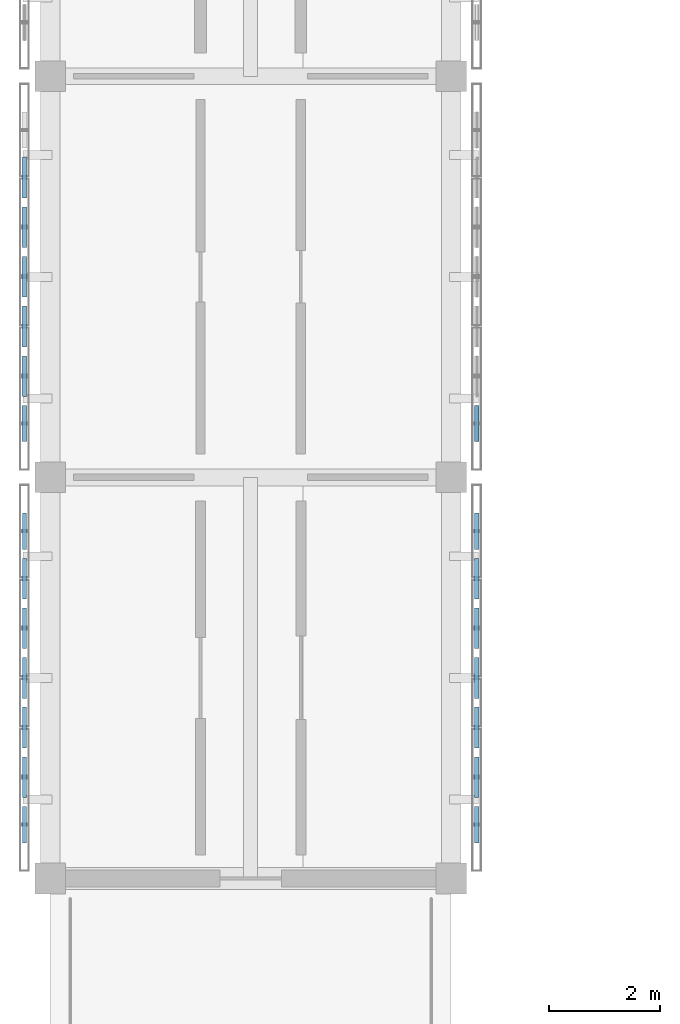
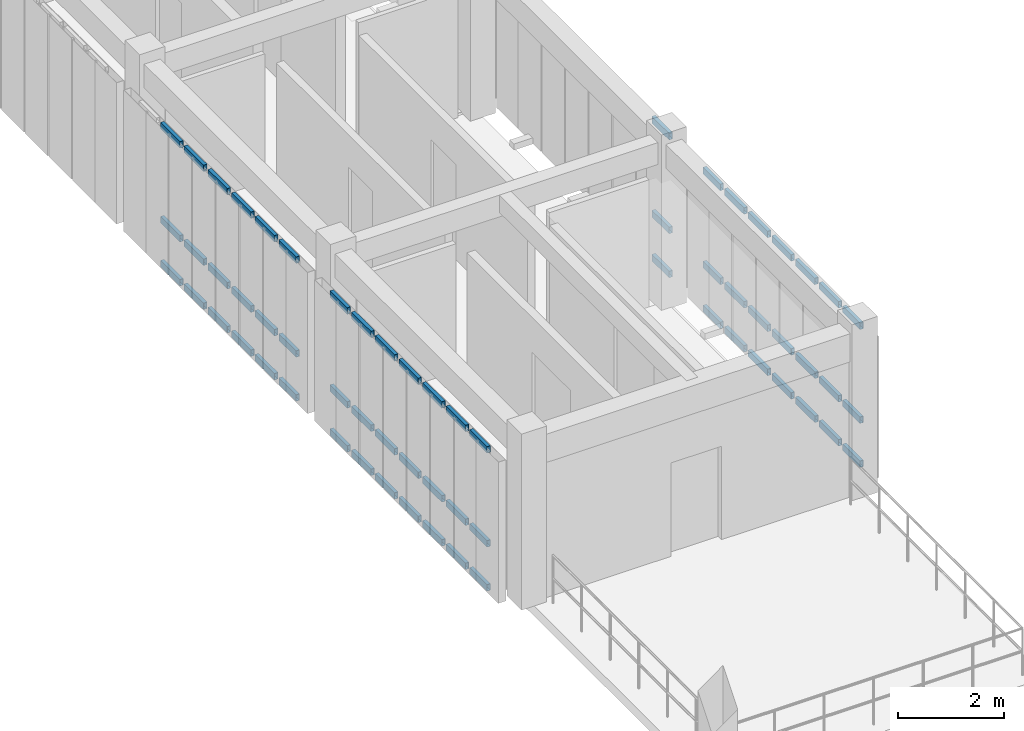
# One storey, part 7 of 33: 63 members, 4 elements without a shape of their own.
"""IFC4 building model written with IfcOpenShell, lengths in metres."""

from ifc_helpers import new_model, si_unit, direction, frame, origin, origin_2d, place, context, subcontext, project, spatial, hollow_rectangle, extrude, material, material_profile, profile_set, type_object, element, aggregate, save


model = new_model("IFC4")

# Units and contexts
model_context = context("Model", 3, precision=1e-05, world=origin(), true_north=direction((0.0, 1.0)))
body_context = subcontext(model_context, "Body", "Model", "MODEL_VIEW")
ifc_project = project(units=[si_unit("LENGTHUNIT", "METRE"), si_unit("AREAUNIT", "SQUARE_METRE"), si_unit("VOLUMEUNIT", "CUBIC_METRE"), si_unit("PLANEANGLEUNIT", "RADIAN"), si_unit("MASSUNIT", "GRAM", prefix="KILO")], contexts=[model_context])

# Site, building, storey
site_placement = place(None, origin())
site = spatial("IfcSite", under=ifc_project, at=site_placement, CompositionType="ELEMENT")
building_placement = place(site_placement, origin())
building = spatial("IfcBuilding", under=site, at=building_placement, Name="Aldebral Square Health Centre", CompositionType="ELEMENT")
storey_placement = place(building_placement, frame((0.0, 0.0, 17.550048828125)))
storey = spatial("IfcBuildingStorey", under=building, at=storey_placement, Name="L04", CompositionType="ELEMENT", Elevation=17.550048828125)

# Curtain wall, members
ifc_material_1 = material(Name="Aluminium and low-E solar glass", Category="aluminium")
curtain_wall_type = type_object("IfcCurtainWallType", Name="CW-FIN-SYS", PredefinedType="USERDEFINED", material=ifc_material_1)
curtain_wall_1_placement = place(storey_placement, origin())
curtain_wall_1 = element("IfcCurtainWall", 1, at=curtain_wall_1_placement, inside=storey, type_object=curtain_wall_type, Name="L04 V4 finned curtain wall L04-V4-00-10-W", ObjectType="SOLAR_CURTAIN_WALL", PredefinedType="USERDEFINED")
ifc_material_2 = material(Name="Anodised aluminium transom", Category="aluminium")
ifc_material_profile = material_profile(ifc_material_2, hollow_rectangle(XDim=0.074951171875, YDim=0.14990234375, WallThickness=0.00390625, at=origin_2d()), Name="CWT 75x150x4")
ifc_profile_set = profile_set([ifc_material_profile], Name="Anodised aluminium transom")
member_type = type_object("IfcMemberType", Name="CWT-STD", PredefinedType="USERDEFINED", material=ifc_profile_set)
member_1_placement = place(storey_placement, frame((-0.4599609375, 78.56005859375, 0.037353515625), z_axis=(0.0, -1.0, 0.0), x_axis=(1.0, 0.0, 0.0)))
member_1 = element("IfcMember", 2, at=member_1_placement, type_object=member_type, Name="CW1 transom 1.1", ObjectType="TRANSOM", PredefinedType="USERDEFINED", context=body_context, shape_type="SweptSolid", body=[
    extrude(hollow_rectangle(XDim=0.074951171875, YDim=0.14990234375, WallThickness=0.00390625, at=origin_2d()), origin(), (0.0, 0.0, 1.0), 0.6513671875),
])
member_2_placement = place(storey_placement, frame((-0.4599609375, 78.56005859375, 1.050048828125), z_axis=(0.0, -1.0, 0.0), x_axis=(1.0, 0.0, 0.0)))
member_2 = element("IfcMember", 3, at=member_2_placement, type_object=member_type, Name="CW1 transom 1.2", ObjectType="TRANSOM", PredefinedType="USERDEFINED", context=body_context, shape_type="SweptSolid", body=[
    extrude(hollow_rectangle(XDim=0.074951171875, YDim=0.14990234375, WallThickness=0.00390625, at=origin_2d()), origin(), (0.0, 0.0, 1.0), 0.6513671875),
])
member_3_placement = place(storey_placement, frame((-0.4599609375, 78.56005859375, 3.21240234375), z_axis=(0.0, -1.0, 0.0), x_axis=(1.0, 0.0, 0.0)))
member_3 = element("IfcMember", 4, at=member_3_placement, type_object=member_type, Name="CW1 transom 1.3", ObjectType="TRANSOM", PredefinedType="USERDEFINED", context=body_context, shape_type="SweptSolid", body=[
    extrude(hollow_rectangle(XDim=0.074951171875, YDim=0.14990234375, WallThickness=0.00390625, at=origin_2d()), origin(), (0.0, 0.0, 1.0), 0.6513671875),
])
member_4_placement = place(storey_placement, frame((-0.4599609375, 77.74853515625, 0.037353515625), z_axis=(0.0, -1.0, 0.0), x_axis=(1.0, 0.0, 0.0)))
member_4 = element("IfcMember", 5, at=member_4_placement, type_object=member_type, Name="CW1 transom 2.1", ObjectType="TRANSOM", PredefinedType="USERDEFINED", context=body_context, shape_type="SweptSolid", body=[
    extrude(hollow_rectangle(XDim=0.074951171875, YDim=0.14990234375, WallThickness=0.00390625, at=origin_2d()), origin(), (0.0, 0.0, 1.0), 0.7314453125),
])
member_5_placement = place(storey_placement, frame((-0.4599609375, 77.74853515625, 1.050048828125), z_axis=(0.0, -1.0, 0.0), x_axis=(1.0, 0.0, 0.0)))
member_5 = element("IfcMember", 6, at=member_5_placement, type_object=member_type, Name="CW1 transom 2.2", ObjectType="TRANSOM", PredefinedType="USERDEFINED", context=body_context, shape_type="SweptSolid", body=[
    extrude(hollow_rectangle(XDim=0.074951171875, YDim=0.14990234375, WallThickness=0.00390625, at=origin_2d()), origin(), (0.0, 0.0, 1.0), 0.7314453125),
])
member_6_placement = place(storey_placement, frame((-0.4599609375, 77.74853515625, 3.21240234375), z_axis=(0.0, -1.0, 0.0), x_axis=(1.0, 0.0, 0.0)))
member_6 = element("IfcMember", 7, at=member_6_placement, type_object=member_type, Name="CW1 transom 2.3", ObjectType="TRANSOM", PredefinedType="USERDEFINED", context=body_context, shape_type="SweptSolid", body=[
    extrude(hollow_rectangle(XDim=0.074951171875, YDim=0.14990234375, WallThickness=0.00390625, at=origin_2d()), origin(), (0.0, 0.0, 1.0), 0.7314453125),
])
member_7_placement = place(storey_placement, frame((-0.4599609375, 76.857177734375, 0.037353515625), z_axis=(0.0, -1.0, 0.0), x_axis=(1.0, 0.0, 0.0)))
member_7 = element("IfcMember", 8, at=member_7_placement, type_object=member_type, Name="CW1 transom 3.1", ObjectType="TRANSOM", PredefinedType="USERDEFINED", context=body_context, shape_type="SweptSolid", body=[
    extrude(hollow_rectangle(XDim=0.074951171875, YDim=0.14990234375, WallThickness=0.00390625, at=origin_2d()), origin(), (0.0, 0.0, 1.0), 0.7314453125),
])
member_8_placement = place(storey_placement, frame((-0.4599609375, 76.857177734375, 1.050048828125), z_axis=(0.0, -1.0, 0.0), x_axis=(1.0, 0.0, 0.0)))
member_8 = element("IfcMember", 9, at=member_8_placement, type_object=member_type, Name="CW1 transom 3.2", ObjectType="TRANSOM", PredefinedType="USERDEFINED", context=body_context, shape_type="SweptSolid", body=[
    extrude(hollow_rectangle(XDim=0.074951171875, YDim=0.14990234375, WallThickness=0.00390625, at=origin_2d()), origin(), (0.0, 0.0, 1.0), 0.7314453125),
])
member_9_placement = place(storey_placement, frame((-0.4599609375, 76.857177734375, 3.21240234375), z_axis=(0.0, -1.0, 0.0), x_axis=(1.0, 0.0, 0.0)))
member_9 = element("IfcMember", 10, at=member_9_placement, type_object=member_type, Name="CW1 transom 3.3", ObjectType="TRANSOM", PredefinedType="USERDEFINED", context=body_context, shape_type="SweptSolid", body=[
    extrude(hollow_rectangle(XDim=0.074951171875, YDim=0.14990234375, WallThickness=0.00390625, at=origin_2d()), origin(), (0.0, 0.0, 1.0), 0.7314453125),
])
member_10_placement = place(storey_placement, frame((-0.4599609375, 75.9658203125, 0.037353515625), z_axis=(0.0, -1.0, 0.0), x_axis=(1.0, 0.0, 0.0)))
member_10 = element("IfcMember", 11, at=member_10_placement, type_object=member_type, Name="CW1 transom 4.1", ObjectType="TRANSOM", PredefinedType="USERDEFINED", context=body_context, shape_type="SweptSolid", body=[
    extrude(hollow_rectangle(XDim=0.074951171875, YDim=0.14990234375, WallThickness=0.00390625, at=origin_2d()), origin(), (0.0, 0.0, 1.0), 0.7314453125),
])
member_11_placement = place(storey_placement, frame((-0.4599609375, 75.9658203125, 1.050048828125), z_axis=(0.0, -1.0, 0.0), x_axis=(1.0, 0.0, 0.0)))
member_11 = element("IfcMember", 12, at=member_11_placement, type_object=member_type, Name="CW1 transom 4.2", ObjectType="TRANSOM", PredefinedType="USERDEFINED", context=body_context, shape_type="SweptSolid", body=[
    extrude(hollow_rectangle(XDim=0.074951171875, YDim=0.14990234375, WallThickness=0.00390625, at=origin_2d()), origin(), (0.0, 0.0, 1.0), 0.7314453125),
])
member_12_placement = place(storey_placement, frame((-0.4599609375, 75.9658203125, 3.21240234375), z_axis=(0.0, -1.0, 0.0), x_axis=(1.0, 0.0, 0.0)))
member_12 = element("IfcMember", 13, at=member_12_placement, type_object=member_type, Name="CW1 transom 4.3", ObjectType="TRANSOM", PredefinedType="USERDEFINED", context=body_context, shape_type="SweptSolid", body=[
    extrude(hollow_rectangle(XDim=0.074951171875, YDim=0.14990234375, WallThickness=0.00390625, at=origin_2d()), origin(), (0.0, 0.0, 1.0), 0.7314453125),
])
member_13_placement = place(storey_placement, frame((-0.4599609375, 75.07421875, 0.037353515625), z_axis=(0.0, -1.0, 0.0), x_axis=(1.0, 0.0, 0.0)))
member_13 = element("IfcMember", 14, at=member_13_placement, type_object=member_type, Name="CW1 transom 5.1", ObjectType="TRANSOM", PredefinedType="USERDEFINED", context=body_context, shape_type="SweptSolid", body=[
    extrude(hollow_rectangle(XDim=0.074951171875, YDim=0.14990234375, WallThickness=0.00390625, at=origin_2d()), origin(), (0.0, 0.0, 1.0), 0.7314453125),
])
member_14_placement = place(storey_placement, frame((-0.4599609375, 75.07421875, 1.050048828125), z_axis=(0.0, -1.0, 0.0), x_axis=(1.0, 0.0, 0.0)))
member_14 = element("IfcMember", 15, at=member_14_placement, type_object=member_type, Name="CW1 transom 5.2", ObjectType="TRANSOM", PredefinedType="USERDEFINED", context=body_context, shape_type="SweptSolid", body=[
    extrude(hollow_rectangle(XDim=0.074951171875, YDim=0.14990234375, WallThickness=0.00390625, at=origin_2d()), origin(), (0.0, 0.0, 1.0), 0.7314453125),
])
member_15_placement = place(storey_placement, frame((-0.4599609375, 75.07421875, 3.21240234375), z_axis=(0.0, -1.0, 0.0), x_axis=(1.0, 0.0, 0.0)))
member_15 = element("IfcMember", 16, at=member_15_placement, type_object=member_type, Name="CW1 transom 5.3", ObjectType="TRANSOM", PredefinedType="USERDEFINED", context=body_context, shape_type="SweptSolid", body=[
    extrude(hollow_rectangle(XDim=0.074951171875, YDim=0.14990234375, WallThickness=0.00390625, at=origin_2d()), origin(), (0.0, 0.0, 1.0), 0.7314453125),
])
member_16_placement = place(storey_placement, frame((-0.4599609375, 74.182861328125, 0.037353515625), z_axis=(0.0, -1.0, 0.0), x_axis=(1.0, 0.0, 0.0)))
member_16 = element("IfcMember", 17, at=member_16_placement, type_object=member_type, Name="CW1 transom 6.1", ObjectType="TRANSOM", PredefinedType="USERDEFINED", context=body_context, shape_type="SweptSolid", body=[
    extrude(hollow_rectangle(XDim=0.074951171875, YDim=0.14990234375, WallThickness=0.00390625, at=origin_2d()), origin(), (0.0, 0.0, 1.0), 0.7314453125),
])
member_17_placement = place(storey_placement, frame((-0.4599609375, 74.182861328125, 1.050048828125), z_axis=(0.0, -1.0, 0.0), x_axis=(1.0, 0.0, 0.0)))
member_17 = element("IfcMember", 18, at=member_17_placement, type_object=member_type, Name="CW1 transom 6.2", ObjectType="TRANSOM", PredefinedType="USERDEFINED", context=body_context, shape_type="SweptSolid", body=[
    extrude(hollow_rectangle(XDim=0.074951171875, YDim=0.14990234375, WallThickness=0.00390625, at=origin_2d()), origin(), (0.0, 0.0, 1.0), 0.7314453125),
])
member_18_placement = place(storey_placement, frame((-0.4599609375, 74.182861328125, 3.21240234375), z_axis=(0.0, -1.0, 0.0), x_axis=(1.0, 0.0, 0.0)))
member_18 = element("IfcMember", 19, at=member_18_placement, type_object=member_type, Name="CW1 transom 6.3", ObjectType="TRANSOM", PredefinedType="USERDEFINED", context=body_context, shape_type="SweptSolid", body=[
    extrude(hollow_rectangle(XDim=0.074951171875, YDim=0.14990234375, WallThickness=0.00390625, at=origin_2d()), origin(), (0.0, 0.0, 1.0), 0.7314453125),
])
member_19_placement = place(storey_placement, frame((-0.4599609375, 73.29150390625, 0.037353515625), z_axis=(0.0, -1.0, 0.0), x_axis=(1.0, 0.0, 0.0)))
member_19 = element("IfcMember", 20, at=member_19_placement, type_object=member_type, Name="CW1 transom 7.1", ObjectType="TRANSOM", PredefinedType="USERDEFINED", context=body_context, shape_type="SweptSolid", body=[
    extrude(hollow_rectangle(XDim=0.074951171875, YDim=0.14990234375, WallThickness=0.00390625, at=origin_2d()), origin(), (0.0, 0.0, 1.0), 0.651611328125),
])
member_20_placement = place(storey_placement, frame((-0.4599609375, 73.29150390625, 1.050048828125), z_axis=(0.0, -1.0, 0.0), x_axis=(1.0, 0.0, 0.0)))
member_20 = element("IfcMember", 21, at=member_20_placement, type_object=member_type, Name="CW1 transom 7.2", ObjectType="TRANSOM", PredefinedType="USERDEFINED", context=body_context, shape_type="SweptSolid", body=[
    extrude(hollow_rectangle(XDim=0.074951171875, YDim=0.14990234375, WallThickness=0.00390625, at=origin_2d()), origin(), (0.0, 0.0, 1.0), 0.651611328125),
])
member_21_placement = place(storey_placement, frame((-0.4599609375, 73.29150390625, 3.21240234375), z_axis=(0.0, -1.0, 0.0), x_axis=(1.0, 0.0, 0.0)))
member_21 = element("IfcMember", 22, at=member_21_placement, type_object=member_type, Name="CW1 transom 7.3", ObjectType="TRANSOM", PredefinedType="USERDEFINED", context=body_context, shape_type="SweptSolid", body=[
    extrude(hollow_rectangle(XDim=0.074951171875, YDim=0.14990234375, WallThickness=0.00390625, at=origin_2d()), origin(), (0.0, 0.0, 1.0), 0.651611328125),
])
aggregate(curtain_wall_1, [member_1, member_2, member_3, member_4, member_5, member_6, member_7, member_8, member_9, member_10, member_11, member_12, member_13, member_14, member_15, member_16, member_17, member_18, member_19, member_20, member_21])

curtain_wall_2_placement = place(storey_placement, origin())
curtain_wall_2 = element("IfcCurtainWall", 23, at=curtain_wall_2_placement, inside=storey, type_object=curtain_wall_type, Name="L04 V4 finned curtain wall L04-V4-00-10-E", ObjectType="SOLAR_CURTAIN_WALL", PredefinedType="USERDEFINED")
member_22_placement = place(storey_placement, frame((7.659912109375, 72.639892578125, 0.037353515625), z_axis=(0.0, 1.0, 0.0), x_axis=(-1.0, 0.0, 0.0)))
member_22 = element("IfcMember", 24, at=member_22_placement, type_object=member_type, Name="CW1 transom 1.1", ObjectType="TRANSOM", PredefinedType="USERDEFINED", context=body_context, shape_type="SweptSolid", body=[
    extrude(hollow_rectangle(XDim=0.074951171875, YDim=0.14990234375, WallThickness=0.00390625, at=origin_2d()), origin(), (0.0, 0.0, 1.0), 0.651611328125),
])
member_23_placement = place(storey_placement, frame((7.659912109375, 72.639892578125, 1.050048828125), z_axis=(0.0, 1.0, 0.0), x_axis=(-1.0, 0.0, 0.0)))
member_23 = element("IfcMember", 25, at=member_23_placement, type_object=member_type, Name="CW1 transom 1.2", ObjectType="TRANSOM", PredefinedType="USERDEFINED", context=body_context, shape_type="SweptSolid", body=[
    extrude(hollow_rectangle(XDim=0.074951171875, YDim=0.14990234375, WallThickness=0.00390625, at=origin_2d()), origin(), (0.0, 0.0, 1.0), 0.651611328125),
])
member_24_placement = place(storey_placement, frame((7.659912109375, 72.639892578125, 3.21240234375), z_axis=(0.0, 1.0, 0.0), x_axis=(-1.0, 0.0, 0.0)))
member_24 = element("IfcMember", 26, at=member_24_placement, type_object=member_type, Name="CW1 transom 1.3", ObjectType="TRANSOM", PredefinedType="USERDEFINED", context=body_context, shape_type="SweptSolid", body=[
    extrude(hollow_rectangle(XDim=0.074951171875, YDim=0.14990234375, WallThickness=0.00390625, at=origin_2d()), origin(), (0.0, 0.0, 1.0), 0.651611328125),
])
member_25_placement = place(storey_placement, frame((7.659912109375, 73.451416015625, 0.037353515625), z_axis=(0.0, 1.0, 0.0), x_axis=(-1.0, 0.0, 0.0)))
member_25 = element("IfcMember", 27, at=member_25_placement, type_object=member_type, Name="CW1 transom 2.1", ObjectType="TRANSOM", PredefinedType="USERDEFINED", context=body_context, shape_type="SweptSolid", body=[
    extrude(hollow_rectangle(XDim=0.074951171875, YDim=0.14990234375, WallThickness=0.00390625, at=origin_2d()), origin(), (0.0, 0.0, 1.0), 0.7314453125),
])
member_26_placement = place(storey_placement, frame((7.659912109375, 73.451416015625, 1.050048828125), z_axis=(0.0, 1.0, 0.0), x_axis=(-1.0, 0.0, 0.0)))
member_26 = element("IfcMember", 28, at=member_26_placement, type_object=member_type, Name="CW1 transom 2.2", ObjectType="TRANSOM", PredefinedType="USERDEFINED", context=body_context, shape_type="SweptSolid", body=[
    extrude(hollow_rectangle(XDim=0.074951171875, YDim=0.14990234375, WallThickness=0.00390625, at=origin_2d()), origin(), (0.0, 0.0, 1.0), 0.7314453125),
])
member_27_placement = place(storey_placement, frame((7.659912109375, 73.451416015625, 3.21240234375), z_axis=(0.0, 1.0, 0.0), x_axis=(-1.0, 0.0, 0.0)))
member_27 = element("IfcMember", 29, at=member_27_placement, type_object=member_type, Name="CW1 transom 2.3", ObjectType="TRANSOM", PredefinedType="USERDEFINED", context=body_context, shape_type="SweptSolid", body=[
    extrude(hollow_rectangle(XDim=0.074951171875, YDim=0.14990234375, WallThickness=0.00390625, at=origin_2d()), origin(), (0.0, 0.0, 1.0), 0.7314453125),
])
member_28_placement = place(storey_placement, frame((7.659912109375, 74.3427734375, 0.037353515625), z_axis=(0.0, 1.0, 0.0), x_axis=(-1.0, 0.0, 0.0)))
member_28 = element("IfcMember", 30, at=member_28_placement, type_object=member_type, Name="CW1 transom 3.1", ObjectType="TRANSOM", PredefinedType="USERDEFINED", context=body_context, shape_type="SweptSolid", body=[
    extrude(hollow_rectangle(XDim=0.074951171875, YDim=0.14990234375, WallThickness=0.00390625, at=origin_2d()), origin(), (0.0, 0.0, 1.0), 0.7314453125),
])
member_29_placement = place(storey_placement, frame((7.659912109375, 74.3427734375, 1.050048828125), z_axis=(0.0, 1.0, 0.0), x_axis=(-1.0, 0.0, 0.0)))
member_29 = element("IfcMember", 31, at=member_29_placement, type_object=member_type, Name="CW1 transom 3.2", ObjectType="TRANSOM", PredefinedType="USERDEFINED", context=body_context, shape_type="SweptSolid", body=[
    extrude(hollow_rectangle(XDim=0.074951171875, YDim=0.14990234375, WallThickness=0.00390625, at=origin_2d()), origin(), (0.0, 0.0, 1.0), 0.7314453125),
])
member_30_placement = place(storey_placement, frame((7.659912109375, 74.3427734375, 3.21240234375), z_axis=(0.0, 1.0, 0.0), x_axis=(-1.0, 0.0, 0.0)))
member_30 = element("IfcMember", 32, at=member_30_placement, type_object=member_type, Name="CW1 transom 3.3", ObjectType="TRANSOM", PredefinedType="USERDEFINED", context=body_context, shape_type="SweptSolid", body=[
    extrude(hollow_rectangle(XDim=0.074951171875, YDim=0.14990234375, WallThickness=0.00390625, at=origin_2d()), origin(), (0.0, 0.0, 1.0), 0.7314453125),
])
member_31_placement = place(storey_placement, frame((7.659912109375, 75.234375, 0.037353515625), z_axis=(0.0, 1.0, 0.0), x_axis=(-1.0, 0.0, 0.0)))
member_31 = element("IfcMember", 33, at=member_31_placement, type_object=member_type, Name="CW1 transom 4.1", ObjectType="TRANSOM", PredefinedType="USERDEFINED", context=body_context, shape_type="SweptSolid", body=[
    extrude(hollow_rectangle(XDim=0.074951171875, YDim=0.14990234375, WallThickness=0.00390625, at=origin_2d()), origin(), (0.0, 0.0, 1.0), 0.7314453125),
])
member_32_placement = place(storey_placement, frame((7.659912109375, 75.234375, 1.050048828125), z_axis=(0.0, 1.0, 0.0), x_axis=(-1.0, 0.0, 0.0)))
member_32 = element("IfcMember", 34, at=member_32_placement, type_object=member_type, Name="CW1 transom 4.2", ObjectType="TRANSOM", PredefinedType="USERDEFINED", context=body_context, shape_type="SweptSolid", body=[
    extrude(hollow_rectangle(XDim=0.074951171875, YDim=0.14990234375, WallThickness=0.00390625, at=origin_2d()), origin(), (0.0, 0.0, 1.0), 0.7314453125),
])
member_33_placement = place(storey_placement, frame((7.659912109375, 75.234375, 3.21240234375), z_axis=(0.0, 1.0, 0.0), x_axis=(-1.0, 0.0, 0.0)))
member_33 = element("IfcMember", 35, at=member_33_placement, type_object=member_type, Name="CW1 transom 4.3", ObjectType="TRANSOM", PredefinedType="USERDEFINED", context=body_context, shape_type="SweptSolid", body=[
    extrude(hollow_rectangle(XDim=0.074951171875, YDim=0.14990234375, WallThickness=0.00390625, at=origin_2d()), origin(), (0.0, 0.0, 1.0), 0.7314453125),
])
member_34_placement = place(storey_placement, frame((7.659912109375, 76.125732421875, 0.037353515625), z_axis=(0.0, 1.0, 0.0), x_axis=(-1.0, 0.0, 0.0)))
member_34 = element("IfcMember", 36, at=member_34_placement, type_object=member_type, Name="CW1 transom 5.1", ObjectType="TRANSOM", PredefinedType="USERDEFINED", context=body_context, shape_type="SweptSolid", body=[
    extrude(hollow_rectangle(XDim=0.074951171875, YDim=0.14990234375, WallThickness=0.00390625, at=origin_2d()), origin(), (0.0, 0.0, 1.0), 0.7314453125),
])
member_35_placement = place(storey_placement, frame((7.659912109375, 76.125732421875, 1.050048828125), z_axis=(0.0, 1.0, 0.0), x_axis=(-1.0, 0.0, 0.0)))
member_35 = element("IfcMember", 37, at=member_35_placement, type_object=member_type, Name="CW1 transom 5.2", ObjectType="TRANSOM", PredefinedType="USERDEFINED", context=body_context, shape_type="SweptSolid", body=[
    extrude(hollow_rectangle(XDim=0.074951171875, YDim=0.14990234375, WallThickness=0.00390625, at=origin_2d()), origin(), (0.0, 0.0, 1.0), 0.7314453125),
])
member_36_placement = place(storey_placement, frame((7.659912109375, 76.125732421875, 3.21240234375), z_axis=(0.0, 1.0, 0.0), x_axis=(-1.0, 0.0, 0.0)))
member_36 = element("IfcMember", 38, at=member_36_placement, type_object=member_type, Name="CW1 transom 5.3", ObjectType="TRANSOM", PredefinedType="USERDEFINED", context=body_context, shape_type="SweptSolid", body=[
    extrude(hollow_rectangle(XDim=0.074951171875, YDim=0.14990234375, WallThickness=0.00390625, at=origin_2d()), origin(), (0.0, 0.0, 1.0), 0.7314453125),
])
member_37_placement = place(storey_placement, frame((7.659912109375, 77.01708984375, 0.037353515625), z_axis=(0.0, 1.0, 0.0), x_axis=(-1.0, 0.0, 0.0)))
member_37 = element("IfcMember", 39, at=member_37_placement, type_object=member_type, Name="CW1 transom 6.1", ObjectType="TRANSOM", PredefinedType="USERDEFINED", context=body_context, shape_type="SweptSolid", body=[
    extrude(hollow_rectangle(XDim=0.074951171875, YDim=0.14990234375, WallThickness=0.00390625, at=origin_2d()), origin(), (0.0, 0.0, 1.0), 0.7314453125),
])
member_38_placement = place(storey_placement, frame((7.659912109375, 77.01708984375, 1.050048828125), z_axis=(0.0, 1.0, 0.0), x_axis=(-1.0, 0.0, 0.0)))
member_38 = element("IfcMember", 40, at=member_38_placement, type_object=member_type, Name="CW1 transom 6.2", ObjectType="TRANSOM", PredefinedType="USERDEFINED", context=body_context, shape_type="SweptSolid", body=[
    extrude(hollow_rectangle(XDim=0.074951171875, YDim=0.14990234375, WallThickness=0.00390625, at=origin_2d()), origin(), (0.0, 0.0, 1.0), 0.7314453125),
])
member_39_placement = place(storey_placement, frame((7.659912109375, 77.01708984375, 3.21240234375), z_axis=(0.0, 1.0, 0.0), x_axis=(-1.0, 0.0, 0.0)))
member_39 = element("IfcMember", 41, at=member_39_placement, type_object=member_type, Name="CW1 transom 6.3", ObjectType="TRANSOM", PredefinedType="USERDEFINED", context=body_context, shape_type="SweptSolid", body=[
    extrude(hollow_rectangle(XDim=0.074951171875, YDim=0.14990234375, WallThickness=0.00390625, at=origin_2d()), origin(), (0.0, 0.0, 1.0), 0.7314453125),
])
member_40_placement = place(storey_placement, frame((7.659912109375, 77.90869140625, 0.037353515625), z_axis=(0.0, 1.0, 0.0), x_axis=(-1.0, 0.0, 0.0)))
member_40 = element("IfcMember", 42, at=member_40_placement, type_object=member_type, Name="CW1 transom 7.1", ObjectType="TRANSOM", PredefinedType="USERDEFINED", context=body_context, shape_type="SweptSolid", body=[
    extrude(hollow_rectangle(XDim=0.074951171875, YDim=0.14990234375, WallThickness=0.00390625, at=origin_2d()), origin(), (0.0, 0.0, 1.0), 0.6513671875),
])
member_41_placement = place(storey_placement, frame((7.659912109375, 77.90869140625, 1.050048828125), z_axis=(0.0, 1.0, 0.0), x_axis=(-1.0, 0.0, 0.0)))
member_41 = element("IfcMember", 43, at=member_41_placement, type_object=member_type, Name="CW1 transom 7.2", ObjectType="TRANSOM", PredefinedType="USERDEFINED", context=body_context, shape_type="SweptSolid", body=[
    extrude(hollow_rectangle(XDim=0.074951171875, YDim=0.14990234375, WallThickness=0.00390625, at=origin_2d()), origin(), (0.0, 0.0, 1.0), 0.6513671875),
])
member_42_placement = place(storey_placement, frame((7.659912109375, 77.90869140625, 3.21240234375), z_axis=(0.0, 1.0, 0.0), x_axis=(-1.0, 0.0, 0.0)))
member_42 = element("IfcMember", 44, at=member_42_placement, type_object=member_type, Name="CW1 transom 7.3", ObjectType="TRANSOM", PredefinedType="USERDEFINED", context=body_context, shape_type="SweptSolid", body=[
    extrude(hollow_rectangle(XDim=0.074951171875, YDim=0.14990234375, WallThickness=0.00390625, at=origin_2d()), origin(), (0.0, 0.0, 1.0), 0.6513671875),
])
aggregate(curtain_wall_2, [member_22, member_23, member_24, member_25, member_26, member_27, member_28, member_29, member_30, member_31, member_32, member_33, member_34, member_35, member_36, member_37, member_38, member_39, member_40, member_41, member_42])

curtain_wall_3_placement = place(storey_placement, origin())
curtain_wall_3 = element("IfcCurtainWall", 45, at=curtain_wall_3_placement, inside=storey, type_object=curtain_wall_type, Name="L04 V4 finned curtain wall L04-V4-00-11-W", ObjectType="SOLAR_CURTAIN_WALL", PredefinedType="USERDEFINED")
member_43_placement = place(storey_placement, frame((-0.4599609375, 84.948486328125, 0.037353515625), z_axis=(0.0, -1.0, 0.0), x_axis=(1.0, 0.0, 0.0)))
member_43 = element("IfcMember", 46, at=member_43_placement, type_object=member_type, Name="CW1 transom 2.1", ObjectType="TRANSOM", PredefinedType="USERDEFINED", context=body_context, shape_type="SweptSolid", body=[
    extrude(hollow_rectangle(XDim=0.074951171875, YDim=0.14990234375, WallThickness=0.00390625, at=origin_2d()), origin(), (0.0, 0.0, 1.0), 0.7314453125),
])
member_44_placement = place(storey_placement, frame((-0.4599609375, 84.948486328125, 1.050048828125), z_axis=(0.0, -1.0, 0.0), x_axis=(1.0, 0.0, 0.0)))
member_44 = element("IfcMember", 47, at=member_44_placement, type_object=member_type, Name="CW1 transom 2.2", ObjectType="TRANSOM", PredefinedType="USERDEFINED", context=body_context, shape_type="SweptSolid", body=[
    extrude(hollow_rectangle(XDim=0.074951171875, YDim=0.14990234375, WallThickness=0.00390625, at=origin_2d()), origin(), (0.0, 0.0, 1.0), 0.7314453125),
])
member_45_placement = place(storey_placement, frame((-0.4599609375, 84.948486328125, 3.21240234375), z_axis=(0.0, -1.0, 0.0), x_axis=(1.0, 0.0, 0.0)))
member_45 = element("IfcMember", 48, at=member_45_placement, type_object=member_type, Name="CW1 transom 2.3", ObjectType="TRANSOM", PredefinedType="USERDEFINED", context=body_context, shape_type="SweptSolid", body=[
    extrude(hollow_rectangle(XDim=0.074951171875, YDim=0.14990234375, WallThickness=0.00390625, at=origin_2d()), origin(), (0.0, 0.0, 1.0), 0.7314453125),
])
member_46_placement = place(storey_placement, frame((-0.4599609375, 84.05712890625, 0.037353515625), z_axis=(0.0, -1.0, 0.0), x_axis=(1.0, 0.0, 0.0)))
member_46 = element("IfcMember", 49, at=member_46_placement, type_object=member_type, Name="CW1 transom 3.1", ObjectType="TRANSOM", PredefinedType="USERDEFINED", context=body_context, shape_type="SweptSolid", body=[
    extrude(hollow_rectangle(XDim=0.074951171875, YDim=0.14990234375, WallThickness=0.00390625, at=origin_2d()), origin(), (0.0, 0.0, 1.0), 0.7314453125),
])
member_47_placement = place(storey_placement, frame((-0.4599609375, 84.05712890625, 1.050048828125), z_axis=(0.0, -1.0, 0.0), x_axis=(1.0, 0.0, 0.0)))
member_47 = element("IfcMember", 50, at=member_47_placement, type_object=member_type, Name="CW1 transom 3.2", ObjectType="TRANSOM", PredefinedType="USERDEFINED", context=body_context, shape_type="SweptSolid", body=[
    extrude(hollow_rectangle(XDim=0.074951171875, YDim=0.14990234375, WallThickness=0.00390625, at=origin_2d()), origin(), (0.0, 0.0, 1.0), 0.7314453125),
])
member_48_placement = place(storey_placement, frame((-0.4599609375, 84.05712890625, 3.21240234375), z_axis=(0.0, -1.0, 0.0), x_axis=(1.0, 0.0, 0.0)))
member_48 = element("IfcMember", 51, at=member_48_placement, type_object=member_type, Name="CW1 transom 3.3", ObjectType="TRANSOM", PredefinedType="USERDEFINED", context=body_context, shape_type="SweptSolid", body=[
    extrude(hollow_rectangle(XDim=0.074951171875, YDim=0.14990234375, WallThickness=0.00390625, at=origin_2d()), origin(), (0.0, 0.0, 1.0), 0.7314453125),
])
member_49_placement = place(storey_placement, frame((-0.4599609375, 83.165771484375, 0.037353515625), z_axis=(0.0, -1.0, 0.0), x_axis=(1.0, 0.0, 0.0)))
member_49 = element("IfcMember", 52, at=member_49_placement, type_object=member_type, Name="CW1 transom 4.1", ObjectType="TRANSOM", PredefinedType="USERDEFINED", context=body_context, shape_type="SweptSolid", body=[
    extrude(hollow_rectangle(XDim=0.074951171875, YDim=0.14990234375, WallThickness=0.00390625, at=origin_2d()), origin(), (0.0, 0.0, 1.0), 0.7314453125),
])
member_50_placement = place(storey_placement, frame((-0.4599609375, 83.165771484375, 1.050048828125), z_axis=(0.0, -1.0, 0.0), x_axis=(1.0, 0.0, 0.0)))
member_50 = element("IfcMember", 53, at=member_50_placement, type_object=member_type, Name="CW1 transom 4.2", ObjectType="TRANSOM", PredefinedType="USERDEFINED", context=body_context, shape_type="SweptSolid", body=[
    extrude(hollow_rectangle(XDim=0.074951171875, YDim=0.14990234375, WallThickness=0.00390625, at=origin_2d()), origin(), (0.0, 0.0, 1.0), 0.7314453125),
])
member_51_placement = place(storey_placement, frame((-0.4599609375, 83.165771484375, 3.21240234375), z_axis=(0.0, -1.0, 0.0), x_axis=(1.0, 0.0, 0.0)))
member_51 = element("IfcMember", 54, at=member_51_placement, type_object=member_type, Name="CW1 transom 4.3", ObjectType="TRANSOM", PredefinedType="USERDEFINED", context=body_context, shape_type="SweptSolid", body=[
    extrude(hollow_rectangle(XDim=0.074951171875, YDim=0.14990234375, WallThickness=0.00390625, at=origin_2d()), origin(), (0.0, 0.0, 1.0), 0.7314453125),
])
member_52_placement = place(storey_placement, frame((-0.4599609375, 82.274169921875, 0.037353515625), z_axis=(0.0, -1.0, 0.0), x_axis=(1.0, 0.0, 0.0)))
member_52 = element("IfcMember", 55, at=member_52_placement, type_object=member_type, Name="CW1 transom 5.1", ObjectType="TRANSOM", PredefinedType="USERDEFINED", context=body_context, shape_type="SweptSolid", body=[
    extrude(hollow_rectangle(XDim=0.074951171875, YDim=0.14990234375, WallThickness=0.00390625, at=origin_2d()), origin(), (0.0, 0.0, 1.0), 0.731201171875),
])
member_53_placement = place(storey_placement, frame((-0.4599609375, 82.274169921875, 1.050048828125), z_axis=(0.0, -1.0, 0.0), x_axis=(1.0, 0.0, 0.0)))
member_53 = element("IfcMember", 56, at=member_53_placement, type_object=member_type, Name="CW1 transom 5.2", ObjectType="TRANSOM", PredefinedType="USERDEFINED", context=body_context, shape_type="SweptSolid", body=[
    extrude(hollow_rectangle(XDim=0.074951171875, YDim=0.14990234375, WallThickness=0.00390625, at=origin_2d()), origin(), (0.0, 0.0, 1.0), 0.731201171875),
])
member_54_placement = place(storey_placement, frame((-0.4599609375, 82.274169921875, 3.21240234375), z_axis=(0.0, -1.0, 0.0), x_axis=(1.0, 0.0, 0.0)))
member_54 = element("IfcMember", 57, at=member_54_placement, type_object=member_type, Name="CW1 transom 5.3", ObjectType="TRANSOM", PredefinedType="USERDEFINED", context=body_context, shape_type="SweptSolid", body=[
    extrude(hollow_rectangle(XDim=0.074951171875, YDim=0.14990234375, WallThickness=0.00390625, at=origin_2d()), origin(), (0.0, 0.0, 1.0), 0.731201171875),
])
member_55_placement = place(storey_placement, frame((-0.4599609375, 81.3828125, 0.037353515625), z_axis=(0.0, -1.0, 0.0), x_axis=(1.0, 0.0, 0.0)))
member_55 = element("IfcMember", 58, at=member_55_placement, type_object=member_type, Name="CW1 transom 6.1", ObjectType="TRANSOM", PredefinedType="USERDEFINED", context=body_context, shape_type="SweptSolid", body=[
    extrude(hollow_rectangle(XDim=0.074951171875, YDim=0.14990234375, WallThickness=0.00390625, at=origin_2d()), origin(), (0.0, 0.0, 1.0), 0.7314453125),
])
member_56_placement = place(storey_placement, frame((-0.4599609375, 81.3828125, 1.050048828125), z_axis=(0.0, -1.0, 0.0), x_axis=(1.0, 0.0, 0.0)))
member_56 = element("IfcMember", 59, at=member_56_placement, type_object=member_type, Name="CW1 transom 6.2", ObjectType="TRANSOM", PredefinedType="USERDEFINED", context=body_context, shape_type="SweptSolid", body=[
    extrude(hollow_rectangle(XDim=0.074951171875, YDim=0.14990234375, WallThickness=0.00390625, at=origin_2d()), origin(), (0.0, 0.0, 1.0), 0.7314453125),
])
member_57_placement = place(storey_placement, frame((-0.4599609375, 81.3828125, 3.21240234375), z_axis=(0.0, -1.0, 0.0), x_axis=(1.0, 0.0, 0.0)))
member_57 = element("IfcMember", 60, at=member_57_placement, type_object=member_type, Name="CW1 transom 6.3", ObjectType="TRANSOM", PredefinedType="USERDEFINED", context=body_context, shape_type="SweptSolid", body=[
    extrude(hollow_rectangle(XDim=0.074951171875, YDim=0.14990234375, WallThickness=0.00390625, at=origin_2d()), origin(), (0.0, 0.0, 1.0), 0.7314453125),
])
member_58_placement = place(storey_placement, frame((-0.4599609375, 80.491455078125, 0.037353515625), z_axis=(0.0, -1.0, 0.0), x_axis=(1.0, 0.0, 0.0)))
member_58 = element("IfcMember", 61, at=member_58_placement, type_object=member_type, Name="CW1 transom 7.1", ObjectType="TRANSOM", PredefinedType="USERDEFINED", context=body_context, shape_type="SweptSolid", body=[
    extrude(hollow_rectangle(XDim=0.074951171875, YDim=0.14990234375, WallThickness=0.00390625, at=origin_2d()), origin(), (0.0, 0.0, 1.0), 0.6513671875),
])
member_59_placement = place(storey_placement, frame((-0.4599609375, 80.491455078125, 1.050048828125), z_axis=(0.0, -1.0, 0.0), x_axis=(1.0, 0.0, 0.0)))
member_59 = element("IfcMember", 62, at=member_59_placement, type_object=member_type, Name="CW1 transom 7.2", ObjectType="TRANSOM", PredefinedType="USERDEFINED", context=body_context, shape_type="SweptSolid", body=[
    extrude(hollow_rectangle(XDim=0.074951171875, YDim=0.14990234375, WallThickness=0.00390625, at=origin_2d()), origin(), (0.0, 0.0, 1.0), 0.6513671875),
])
member_60_placement = place(storey_placement, frame((-0.4599609375, 80.491455078125, 3.21240234375), z_axis=(0.0, -1.0, 0.0), x_axis=(1.0, 0.0, 0.0)))
member_60 = element("IfcMember", 63, at=member_60_placement, type_object=member_type, Name="CW1 transom 7.3", ObjectType="TRANSOM", PredefinedType="USERDEFINED", context=body_context, shape_type="SweptSolid", body=[
    extrude(hollow_rectangle(XDim=0.074951171875, YDim=0.14990234375, WallThickness=0.00390625, at=origin_2d()), origin(), (0.0, 0.0, 1.0), 0.6513671875),
])
aggregate(curtain_wall_3, [member_43, member_44, member_45, member_46, member_47, member_48, member_49, member_50, member_51, member_52, member_53, member_54, member_55, member_56, member_57, member_58, member_59, member_60])

curtain_wall_4_placement = place(storey_placement, origin())
curtain_wall_4 = element("IfcCurtainWall", 64, at=curtain_wall_4_placement, inside=storey, type_object=curtain_wall_type, Name="L04 V4 finned curtain wall L04-V4-00-11-E", ObjectType="SOLAR_CURTAIN_WALL", PredefinedType="USERDEFINED")
member_61_placement = place(storey_placement, frame((7.659912109375, 79.840087890625, 0.037353515625), z_axis=(0.0, 1.0, 0.0), x_axis=(-1.0, 0.0, 0.0)))
member_61 = element("IfcMember", 65, at=member_61_placement, type_object=member_type, Name="CW1 transom 1.1", ObjectType="TRANSOM", PredefinedType="USERDEFINED", context=body_context, shape_type="SweptSolid", body=[
    extrude(hollow_rectangle(XDim=0.074951171875, YDim=0.14990234375, WallThickness=0.00390625, at=origin_2d()), origin(), (0.0, 0.0, 1.0), 0.6513671875),
])
member_62_placement = place(storey_placement, frame((7.659912109375, 79.840087890625, 1.050048828125), z_axis=(0.0, 1.0, 0.0), x_axis=(-1.0, 0.0, 0.0)))
member_62 = element("IfcMember", 66, at=member_62_placement, type_object=member_type, Name="CW1 transom 1.2", ObjectType="TRANSOM", PredefinedType="USERDEFINED", context=body_context, shape_type="SweptSolid", body=[
    extrude(hollow_rectangle(XDim=0.074951171875, YDim=0.14990234375, WallThickness=0.00390625, at=origin_2d()), origin(), (0.0, 0.0, 1.0), 0.6513671875),
])
member_63_placement = place(storey_placement, frame((7.659912109375, 79.840087890625, 3.21240234375), z_axis=(0.0, 1.0, 0.0), x_axis=(-1.0, 0.0, 0.0)))
member_63 = element("IfcMember", 67, at=member_63_placement, type_object=member_type, Name="CW1 transom 1.3", ObjectType="TRANSOM", PredefinedType="USERDEFINED", context=body_context, shape_type="SweptSolid", body=[
    extrude(hollow_rectangle(XDim=0.074951171875, YDim=0.14990234375, WallThickness=0.00390625, at=origin_2d()), origin(), (0.0, 0.0, 1.0), 0.6513671875),
])
aggregate(curtain_wall_4, [member_61, member_62, member_63])

save(model, "model.ifc")
